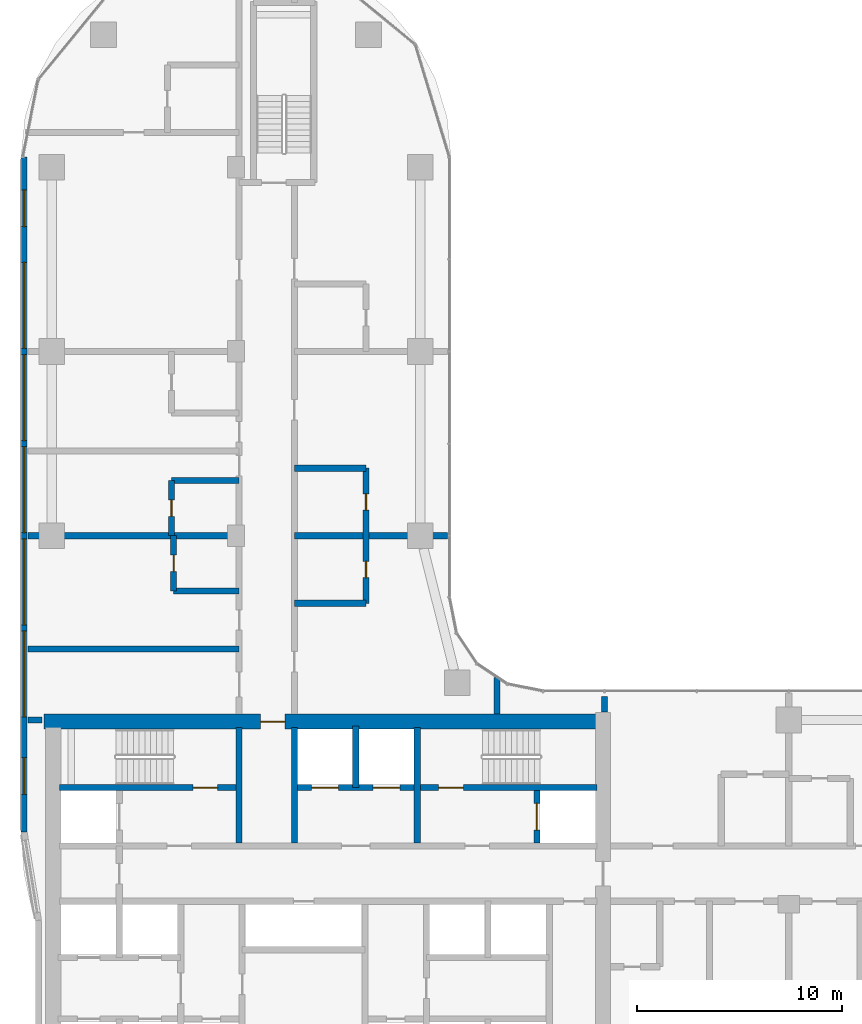
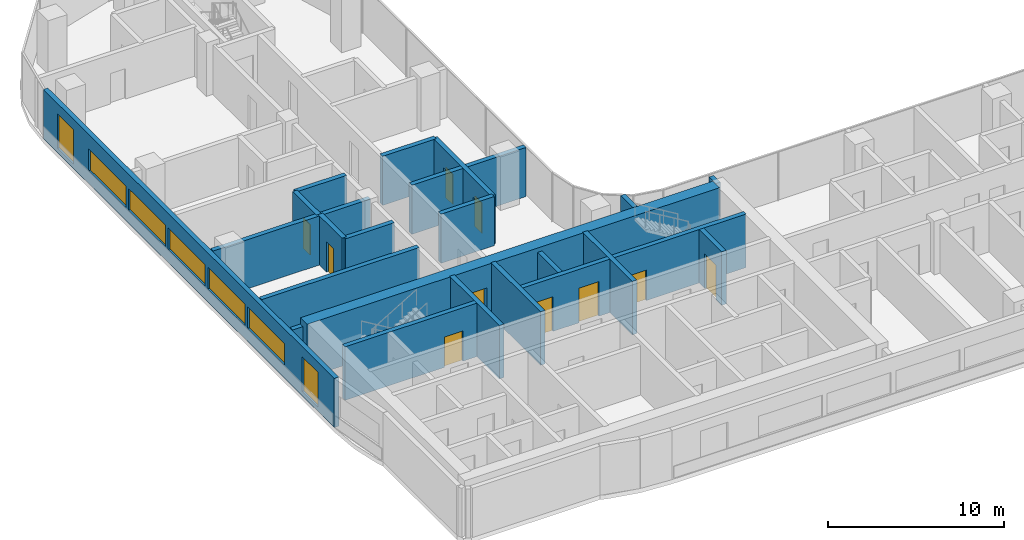
# One storey, part 10 of 22: 22 walls, 10 doors, 7 windows, 17 openings.
"""IFC4 building model written with IfcOpenShell, lengths in metres."""

from ifc_helpers import new_model, si_unit, direction, frame, frame_2d, origin, place, context, subcontext, project, spatial, rectangle, extrude, material, layer, layer_set, type_object, element, fill, save


model = new_model("IFC4")

# Units and contexts
model_context = context("Model", 3, precision=1e-05, world=origin(), true_north=direction((0.0, 1.0)))
body_context = subcontext(model_context, "Body", "Model", "MODEL_VIEW")
ifc_project = project(units=[si_unit("LENGTHUNIT", "METRE"), si_unit("AREAUNIT", "SQUARE_METRE"), si_unit("VOLUMEUNIT", "CUBIC_METRE"), si_unit("PLANEANGLEUNIT", "RADIAN"), si_unit("MASSUNIT", "GRAM", prefix="KILO")], contexts=[model_context])

# Site, building, storey
site_placement = place(None, origin())
site = spatial("IfcSite", under=ifc_project, at=site_placement, CompositionType="ELEMENT")
building_placement = place(site_placement, origin())
building = spatial("IfcBuilding", under=site, at=building_placement, Name="Ogive Portal Towers", CompositionType="ELEMENT")
storey_placement = place(building_placement, frame((0.0, 0.0, 113.0)))
storey = spatial("IfcBuildingStorey", under=building, at=storey_placement, Name="L27", CompositionType="ELEMENT", Elevation=113.0)

# Wall, opening, door
ifc_material_1 = material(Name="Concrete C60/75", Category="concrete")
ifc_layer_1 = layer(ifc_material_1, 0.300048828125)
ifc_layer_set_1 = layer_set([ifc_layer_1], Name="CORE WALL 300 C60")
wall_type_1 = type_object("IfcWallType", Name="CORE WALL 300 C60", PredefinedType="SHEAR", material=ifc_layer_set_1)
wall_1_placement = place(storey_placement, frame((31.875, 36.199951171875, 0.0), z_axis=(0.0, 0.0, 1.0), x_axis=(1.0, 0.0, 0.0)))
wall_1 = element("IfcWall", 1, at=wall_1_placement, inside=storey, type_object=wall_type_1, Name="Core wall Y3a L27", PredefinedType="SHEAR", context=body_context, shape_type="SweptSolid", body=[
    extrude(rectangle(XDim=8.625, YDim=0.300048828125, at=frame_2d((4.3125, 0.0))), origin(), (0.0, 0.0, 1.0), 3.699951171875),
])
opening_1_placement = place(wall_1_placement, frame((6.52490234375, 0.0, 0.0)))
opening_1 = element("IfcOpeningElement", 2, at=opening_1_placement, cuts=wall_1, Name="Opening D09-005", PredefinedType="OPENING", context=body_context, shape_type="SweptSolid", body=[
    extrude(rectangle(XDim=1.199951171875, YDim=2.10009765625, at=frame_2d((0.60009765625, 1.050048828125))), frame((0.0, 0.16015625, 0.0), z_axis=(0.0, -1.0, 0.0), x_axis=(1.0, 0.0, 0.0)), (0.0, 0.0, 1.0), 0.320068359375),
])
ifc_material_2 = material(Name="Steel fire door", Category="steel")
door_type_1 = type_object("IfcDoorType", Name="DT-SWING-1200x2100-FD90S", OperationType="SINGLE_SWING_LEFT", PredefinedType="DOOR", material=ifc_material_2)
door_1_placement = place(opening_1_placement, origin())
door_1 = element("IfcDoor", 3, at=door_1_placement, inside=storey, type_object=door_type_1, Name="Door D09-005", OperationType="SINGLE_SWING_RIGHT", OverallHeight=2.10009765625, OverallWidth=1.199951171875, PredefinedType="DOOR", context=body_context, shape_type="SweptSolid", body=[
    extrude(rectangle(XDim=1.199951171875, YDim=2.10009765625, at=frame_2d((0.60009765625, 1.050048828125))), frame((0.0, 0.02490234375, 0.0), z_axis=(0.0, -1.0, 0.0), x_axis=(1.0, 0.0, 0.0)), (0.0, 0.0, 1.0), 0.050048828125),
])
fill(opening_1, door_1)

# Wall, openings, doors
wall_2_placement = place(storey_placement, frame((43.5, 36.199951171875, 0.0), z_axis=(0.0, 0.0, 1.0), x_axis=(1.0, 0.0, 0.0)))
wall_2 = element("IfcWall", 4, at=wall_2_placement, inside=storey, type_object=wall_type_1, Name="Core wall Y3b L27", PredefinedType="SHEAR", context=body_context, shape_type="SweptSolid", body=[
    extrude(rectangle(XDim=14.625, YDim=0.300048828125, at=frame_2d((7.3125, 0.0))), origin(), (0.0, 0.0, 1.0), 3.699951171875),
])
opening_2_placement = place(wall_2_placement, frame((6.89990234375, 0.0, 0.0)))
opening_2 = element("IfcOpeningElement", 5, at=opening_2_placement, cuts=wall_2, Name="Opening D09-006", PredefinedType="OPENING", context=body_context, shape_type="SweptSolid", body=[
    extrude(rectangle(XDim=1.199951171875, YDim=2.10009765625, at=frame_2d((0.60009765625, 1.050048828125))), frame((0.0, 0.16015625, 0.0), z_axis=(0.0, -1.0, 0.0), x_axis=(1.0, 0.0, 0.0)), (0.0, 0.0, 1.0), 0.320068359375),
])
opening_3_placement = place(wall_2_placement, frame((0.699951171875, 0.0, 0.0)))
opening_3 = element("IfcOpeningElement", 6, at=opening_3_placement, cuts=wall_2, Name="Opening D09-016", PredefinedType="OPENING", context=body_context, shape_type="SweptSolid", body=[
    extrude(rectangle(XDim=1.300048828125, YDim=2.39990234375, at=frame_2d((0.64990234375, 1.199951171875))), frame((0.0, 0.16015625, 0.0), z_axis=(0.0, -1.0, 0.0), x_axis=(1.0, 0.0, 0.0)), (0.0, 0.0, 1.0), 0.320068359375),
])
opening_4_placement = place(wall_2_placement, frame((3.699951171875, 0.0, 0.0)))
opening_4 = element("IfcOpeningElement", 7, at=opening_4_placement, cuts=wall_2, Name="Opening D09-017", PredefinedType="OPENING", context=body_context, shape_type="SweptSolid", body=[
    extrude(rectangle(XDim=1.300048828125, YDim=2.39990234375, at=frame_2d((0.64990234375, 1.199951171875))), frame((0.0, 0.16015625, 0.0), z_axis=(0.0, -1.0, 0.0), x_axis=(1.0, 0.0, 0.0)), (0.0, 0.0, 1.0), 0.320068359375),
])
ifc_material_3 = material(Name="Stainless steel", Category="steel")
door_type_2 = type_object("IfcDoorType", Name="DT-LD-1300x2400", OperationType="SLIDING_TO_LEFT", PredefinedType="DOOR", material=ifc_material_3)
door_2_placement = place(opening_3_placement, origin())
door_2 = element("IfcDoor", 8, at=door_2_placement, inside=storey, type_object=door_type_2, Name="Door D09-016", OperationType="SLIDING_TO_LEFT", OverallHeight=2.39990234375, OverallWidth=1.300048828125, PredefinedType="DOOR", context=body_context, shape_type="SweptSolid", body=[
    extrude(rectangle(XDim=1.300048828125, YDim=2.39990234375, at=frame_2d((0.64990234375, 1.199951171875))), frame((0.0, 0.02490234375, 0.0), z_axis=(0.0, -1.0, 0.0), x_axis=(1.0, 0.0, 0.0)), (0.0, 0.0, 1.0), 0.050048828125),
])
fill(opening_3, door_2)
door_3_placement = place(opening_4_placement, origin())
door_3 = element("IfcDoor", 9, at=door_3_placement, inside=storey, type_object=door_type_2, Name="Door D09-017", OperationType="SLIDING_TO_LEFT", OverallHeight=2.39990234375, OverallWidth=1.300048828125, PredefinedType="DOOR", context=body_context, shape_type="SweptSolid", body=[
    extrude(rectangle(XDim=1.300048828125, YDim=2.39990234375, at=frame_2d((0.64990234375, 1.199951171875))), frame((0.0, 0.02490234375, 0.0), z_axis=(0.0, -1.0, 0.0), x_axis=(1.0, 0.0, 0.0)), (0.0, 0.0, 1.0), 0.050048828125),
])
fill(opening_4, door_3)
door_4_placement = place(opening_2_placement, origin())
door_4 = element("IfcDoor", 10, at=door_4_placement, inside=storey, type_object=door_type_1, Name="Door D09-006", OperationType="SINGLE_SWING_LEFT", OverallHeight=2.10009765625, OverallWidth=1.199951171875, PredefinedType="DOOR", context=body_context, shape_type="SweptSolid", body=[
    extrude(rectangle(XDim=1.199951171875, YDim=2.10009765625, at=frame_2d((0.60009765625, 1.050048828125))), frame((0.0, 0.02490234375, 0.0), z_axis=(0.0, -1.0, 0.0), x_axis=(1.0, 0.0, 0.0)), (0.0, 0.0, 1.0), 0.050048828125),
])
fill(opening_2, door_4)

# Walls
for number, where, z_axis, x_axis, name in (
    (11, (40.64990234375, 33.5, 0.0), (0.0, 0.0, 1.0), (0.0, 1.0, 0.0), "Core wall X6 L27"),
    (12, (43.35009765625, 33.5, 0.0), (0.0, 0.0, 1.0), (0.0, 1.0, 0.0), "Core wall X7 L27"),
    (13, (49.35009765625, 33.5, 0.0), (0.0, 0.0, 1.0), (0.0, 1.0, 0.0), "Core wall X9 L27"),
):
    element("IfcWall", number, at=place(storey_placement, frame(where, z_axis=z_axis, x_axis=x_axis)), inside=storey, type_object=wall_type_1, Name=name, PredefinedType="SHEAR", context=body_context, shape_type="SweptSolid", body=[
        extrude(rectangle(XDim=5.625, YDim=0.300048828125, at=frame_2d((2.8125, 0.0))), origin(), (0.0, 0.0, 1.0), 3.699951171875),
    ])

# Wall, opening, door
wall_3_placement = place(storey_placement, frame((55.199951171875, 33.5, 0.0), z_axis=(0.0, 0.0, 1.0), x_axis=(0.0, 1.0, 0.0)))
wall_3 = element("IfcWall", 14, at=wall_3_placement, inside=storey, type_object=wall_type_1, Name="Core wall X10 L27", PredefinedType="SHEAR", context=body_context, shape_type="SweptSolid", body=[
    extrude(rectangle(XDim=2.550048828125, YDim=0.300048828125, at=frame_2d((1.27490234375, 0.0))), origin(), (0.0, 0.0, 1.0), 3.699951171875),
])
opening_5_placement = place(wall_3_placement, frame((0.625, 0.0, 0.0)))
opening_5 = element("IfcOpeningElement", 15, at=opening_5_placement, cuts=wall_3, Name="Opening D09-019", PredefinedType="OPENING", context=body_context, shape_type="SweptSolid", body=[
    extrude(rectangle(XDim=1.300048828125, YDim=2.39990234375, at=frame_2d((0.64990234375, 1.199951171875))), frame((0.0, 0.16015625, 0.0), z_axis=(0.0, -1.0, 0.0), x_axis=(1.0, 0.0, 0.0)), (0.0, 0.0, 1.0), 0.320068359375),
])
door_5_placement = place(opening_5_placement, origin())
door_5 = element("IfcDoor", 16, at=door_5_placement, inside=storey, type_object=door_type_2, Name="Door D09-019", OperationType="SLIDING_TO_LEFT", OverallHeight=2.39990234375, OverallWidth=1.300048828125, PredefinedType="DOOR", context=body_context, shape_type="SweptSolid", body=[
    extrude(rectangle(XDim=1.300048828125, YDim=2.39990234375, at=frame_2d((0.64990234375, 1.199951171875))), frame((0.0, 0.02490234375, 0.0), z_axis=(0.0, -1.0, 0.0), x_axis=(1.0, 0.0, 0.0)), (0.0, 0.0, 1.0), 0.050048828125),
])
fill(opening_5, door_5)

ifc_layer_2 = layer(ifc_material_1, 0.75)
ifc_layer_set_2 = layer_set([ifc_layer_2], Name="CORE WALL 750 C60")
wall_type_2 = type_object("IfcWallType", Name="CORE WALL 750 C60", PredefinedType="SHEAR", material=ifc_layer_set_2)
wall_4_placement = place(storey_placement, frame((31.125, 39.425048828125, 0.0), z_axis=(0.0, 0.0, 1.0), x_axis=(1.0, 0.0, 0.0)))
wall_4 = element("IfcWall", 17, at=wall_4_placement, inside=storey, type_object=wall_type_2, Name="Core wall N L27", PredefinedType="SHEAR", context=body_context, shape_type="SweptSolid", body=[
    extrude(rectangle(XDim=27.0, YDim=0.75, at=frame_2d((13.5, 0.0))), origin(), (0.0, 0.0, 1.0), 3.699951171875),
])
opening_6_placement = place(wall_4_placement, frame((10.574951171875, 0.0, 0.0)))
opening_6 = element("IfcOpeningElement", 18, at=opening_6_placement, cuts=wall_4, Name="Opening D09-011", PredefinedType="OPENING", context=body_context, shape_type="SweptSolid", body=[
    extrude(rectangle(XDim=1.199951171875, YDim=2.10009765625, at=frame_2d((0.60009765625, 1.050048828125))), frame((0.0, 0.385009765625, 0.0), z_axis=(0.0, -1.0, 0.0), x_axis=(1.0, 0.0, 0.0)), (0.0, 0.0, 1.0), 0.77001953125),
])
door_6_placement = place(opening_6_placement, origin())
door_6 = element("IfcDoor", 19, at=door_6_placement, inside=storey, type_object=door_type_1, Name="Door D09-011", OperationType="SINGLE_SWING_RIGHT", OverallHeight=2.10009765625, OverallWidth=1.199951171875, PredefinedType="DOOR", context=body_context, shape_type="SweptSolid", body=[
    extrude(rectangle(XDim=1.199951171875, YDim=2.10009765625, at=frame_2d((0.60009765625, 1.050048828125))), frame((0.0, 0.02490234375, 0.0), z_axis=(0.0, -1.0, 0.0), x_axis=(1.0, 0.0, 0.0)), (0.0, 0.0, 1.0), 0.050048828125),
])
fill(opening_6, door_6)

# Wall, openings, windows
ifc_material_4 = material(Name="Limestone cladding on lightweight block wall", Category="masonry")
ifc_layer_3 = layer(ifc_material_4, 0.300048828125)
ifc_layer_set_3 = layer_set([ifc_layer_3], Name="EXTERNAL WALL 300 STONE")
wall_type_3 = type_object("IfcWallType", Name="EXTERNAL WALL 300 STONE", PredefinedType="SOLIDWALL", material=ifc_layer_set_3)
wall_5_placement = place(storey_placement, frame((30.14990234375, 66.9921875, 0.0), z_axis=(0.0, 0.0, 1.0), x_axis=(0.0, -1.0, 0.0)))
wall_5 = element("IfcWall", 20, at=wall_5_placement, inside=storey, type_object=wall_type_3, Name="A:L27:f24:r0:wall", PredefinedType="SOLIDWALL", context=body_context, shape_type="SweptSolid", body=[
    extrude(rectangle(XDim=32.968017578125, YDim=0.300048828125, at=frame_2d((16.48388671875, 0.0))), origin(), (0.0, 0.0, 1.0), 3.39990234375),
])
opening_7_placement = place(wall_5_placement, frame((1.595947265625, 0.0, 0.300048828125)))
opening_7 = element("IfcOpeningElement", 21, at=opening_7_placement, cuts=wall_5, Name="Opening WN10", PredefinedType="OPENING", context=body_context, shape_type="SweptSolid", body=[
    extrude(rectangle(XDim=1.800048828125, YDim=2.39990234375, at=frame_2d((0.89990234375, 1.199951171875))), frame((0.0, 0.16015625, 0.0), z_axis=(0.0, -1.0, 0.0), x_axis=(1.0, 0.0, 0.0)), (0.0, 0.0, 1.0), 0.320068359375),
])
opening_8_placement = place(wall_5_placement, frame((5.14208984375, 0.0, 0.89990234375)))
opening_8 = element("IfcOpeningElement", 22, at=opening_8_placement, cuts=wall_5, Name="Opening WN11", PredefinedType="OPENING", context=body_context, shape_type="SweptSolid", body=[
    extrude(rectangle(XDim=4.199951171875, YDim=1.5, at=frame_2d((2.10009765625, 0.75))), frame((0.0, 0.16015625, 0.0), z_axis=(0.0, -1.0, 0.0), x_axis=(1.0, 0.0, 0.0)), (0.0, 0.0, 1.0), 0.320068359375),
])
opening_9_placement = place(wall_5_placement, frame((9.64208984375, 0.0, 0.89990234375)))
opening_9 = element("IfcOpeningElement", 23, at=opening_9_placement, cuts=wall_5, Name="Opening WN11", PredefinedType="OPENING", context=body_context, shape_type="SweptSolid", body=[
    extrude(rectangle(XDim=4.199951171875, YDim=1.5, at=frame_2d((2.10009765625, 0.75))), frame((0.0, 0.16015625, 0.0), z_axis=(0.0, -1.0, 0.0), x_axis=(1.0, 0.0, 0.0)), (0.0, 0.0, 1.0), 0.320068359375),
])
opening_10_placement = place(wall_5_placement, frame((14.14208984375, 0.0, 0.89990234375)))
opening_10 = element("IfcOpeningElement", 24, at=opening_10_placement, cuts=wall_5, Name="Opening WN11", PredefinedType="OPENING", context=body_context, shape_type="SweptSolid", body=[
    extrude(rectangle(XDim=4.199951171875, YDim=1.5, at=frame_2d((2.10009765625, 0.75))), frame((0.0, 0.16015625, 0.0), z_axis=(0.0, -1.0, 0.0), x_axis=(1.0, 0.0, 0.0)), (0.0, 0.0, 1.0), 0.320068359375),
])
opening_11_placement = place(wall_5_placement, frame((18.64208984375, 0.0, 0.89990234375)))
opening_11 = element("IfcOpeningElement", 25, at=opening_11_placement, cuts=wall_5, Name="Opening WN11", PredefinedType="OPENING", context=body_context, shape_type="SweptSolid", body=[
    extrude(rectangle(XDim=4.199951171875, YDim=1.5, at=frame_2d((2.10009765625, 0.75))), frame((0.0, 0.16015625, 0.0), z_axis=(0.0, -1.0, 0.0), x_axis=(1.0, 0.0, 0.0)), (0.0, 0.0, 1.0), 0.320068359375),
])
opening_12_placement = place(wall_5_placement, frame((23.14208984375, 0.0, 0.89990234375)))
opening_12 = element("IfcOpeningElement", 26, at=opening_12_placement, cuts=wall_5, Name="Opening WN11", PredefinedType="OPENING", context=body_context, shape_type="SweptSolid", body=[
    extrude(rectangle(XDim=4.199951171875, YDim=1.5, at=frame_2d((2.10009765625, 0.75))), frame((0.0, 0.16015625, 0.0), z_axis=(0.0, -1.0, 0.0), x_axis=(1.0, 0.0, 0.0)), (0.0, 0.0, 1.0), 0.320068359375),
])
opening_13_placement = place(wall_5_placement, frame((29.330078125, 0.0, 0.300048828125)))
opening_13 = element("IfcOpeningElement", 27, at=opening_13_placement, cuts=wall_5, Name="Opening WN10", PredefinedType="OPENING", context=body_context, shape_type="SweptSolid", body=[
    extrude(rectangle(XDim=1.800048828125, YDim=2.39990234375, at=frame_2d((0.89990234375, 1.199951171875))), frame((0.0, 0.16015625, 0.0), z_axis=(0.0, -1.0, 0.0), x_axis=(1.0, 0.0, 0.0)), (0.0, 0.0, 1.0), 0.320068359375),
])
ifc_material_5 = material(Name="Glass, clear low-iron insulated glazing", Category="glass")
window_type_1 = type_object("IfcWindowType", Name="WINDOW RIBBON 4200x1500", PartitioningType="TRIPLE_PANEL_VERTICAL", PredefinedType="WINDOW", material=ifc_material_5)
window_1_placement = place(opening_8_placement, origin())
window_1 = element("IfcWindow", 28, at=window_1_placement, inside=storey, type_object=window_type_1, Name="A:L27:f24:r0:w1", OverallHeight=1.5, OverallWidth=4.199951171875, PartitioningType="SINGLE_PANEL", PredefinedType="WINDOW", context=body_context, shape_type="SweptSolid", body=[
    extrude(rectangle(XDim=4.199951171875, YDim=1.5, at=frame_2d((2.10009765625, 0.75))), frame((0.0, 0.030029296875, 0.0), z_axis=(0.0, -1.0, 0.0), x_axis=(1.0, 0.0, 0.0)), (0.0, 0.0, 1.0), 0.06005859375),
])
fill(opening_8, window_1)
window_2_placement = place(opening_9_placement, origin())
window_2 = element("IfcWindow", 29, at=window_2_placement, inside=storey, type_object=window_type_1, Name="A:L27:f24:r0:w2", OverallHeight=1.5, OverallWidth=4.199951171875, PartitioningType="SINGLE_PANEL", PredefinedType="WINDOW", context=body_context, shape_type="SweptSolid", body=[
    extrude(rectangle(XDim=4.199951171875, YDim=1.5, at=frame_2d((2.10009765625, 0.75))), frame((0.0, 0.030029296875, 0.0), z_axis=(0.0, -1.0, 0.0), x_axis=(1.0, 0.0, 0.0)), (0.0, 0.0, 1.0), 0.06005859375),
])
fill(opening_9, window_2)
window_3_placement = place(opening_10_placement, origin())
window_3 = element("IfcWindow", 30, at=window_3_placement, inside=storey, type_object=window_type_1, Name="A:L27:f24:r0:w3", OverallHeight=1.5, OverallWidth=4.199951171875, PartitioningType="SINGLE_PANEL", PredefinedType="WINDOW", context=body_context, shape_type="SweptSolid", body=[
    extrude(rectangle(XDim=4.199951171875, YDim=1.5, at=frame_2d((2.10009765625, 0.75))), frame((0.0, 0.030029296875, 0.0), z_axis=(0.0, -1.0, 0.0), x_axis=(1.0, 0.0, 0.0)), (0.0, 0.0, 1.0), 0.06005859375),
])
fill(opening_10, window_3)
window_4_placement = place(opening_11_placement, origin())
window_4 = element("IfcWindow", 31, at=window_4_placement, inside=storey, type_object=window_type_1, Name="A:L27:f24:r0:w4", OverallHeight=1.5, OverallWidth=4.199951171875, PartitioningType="SINGLE_PANEL", PredefinedType="WINDOW", context=body_context, shape_type="SweptSolid", body=[
    extrude(rectangle(XDim=4.199951171875, YDim=1.5, at=frame_2d((2.10009765625, 0.75))), frame((0.0, 0.030029296875, 0.0), z_axis=(0.0, -1.0, 0.0), x_axis=(1.0, 0.0, 0.0)), (0.0, 0.0, 1.0), 0.06005859375),
])
fill(opening_11, window_4)
window_5_placement = place(opening_12_placement, origin())
window_5 = element("IfcWindow", 32, at=window_5_placement, inside=storey, type_object=window_type_1, Name="A:L27:f24:r0:w5", OverallHeight=1.5, OverallWidth=4.199951171875, PartitioningType="SINGLE_PANEL", PredefinedType="WINDOW", context=body_context, shape_type="SweptSolid", body=[
    extrude(rectangle(XDim=4.199951171875, YDim=1.5, at=frame_2d((2.10009765625, 0.75))), frame((0.0, 0.030029296875, 0.0), z_axis=(0.0, -1.0, 0.0), x_axis=(1.0, 0.0, 0.0)), (0.0, 0.0, 1.0), 0.06005859375),
])
fill(opening_12, window_5)
window_type_2 = type_object("IfcWindowType", Name="WINDOW SUITE CORNER 1800x2400", PartitioningType="DOUBLE_PANEL_VERTICAL", PredefinedType="WINDOW", material=ifc_material_5)
window_6_placement = place(opening_7_placement, origin())
window_6 = element("IfcWindow", 33, at=window_6_placement, inside=storey, type_object=window_type_2, Name="A:L27:f24:r0:w0", OverallHeight=2.39990234375, OverallWidth=1.800048828125, PartitioningType="SINGLE_PANEL", PredefinedType="WINDOW", context=body_context, shape_type="SweptSolid", body=[
    extrude(rectangle(XDim=1.800048828125, YDim=2.39990234375, at=frame_2d((0.89990234375, 1.199951171875))), frame((0.0, 0.030029296875, 0.0), z_axis=(0.0, -1.0, 0.0), x_axis=(1.0, 0.0, 0.0)), (0.0, 0.0, 1.0), 0.06005859375),
])
fill(opening_7, window_6)
window_7_placement = place(opening_13_placement, origin())
window_7 = element("IfcWindow", 34, at=window_7_placement, inside=storey, type_object=window_type_2, Name="A:L27:f24:r0:w6", OverallHeight=2.39990234375, OverallWidth=1.800048828125, PartitioningType="SINGLE_PANEL", PredefinedType="WINDOW", context=body_context, shape_type="SweptSolid", body=[
    extrude(rectangle(XDim=1.800048828125, YDim=2.39990234375, at=frame_2d((0.89990234375, 1.199951171875))), frame((0.0, 0.030029296875, 0.0), z_axis=(0.0, -1.0, 0.0), x_axis=(1.0, 0.0, 0.0)), (0.0, 0.0, 1.0), 0.06005859375),
])
fill(opening_13, window_7)

# Walls
ifc_material_6 = material(Name="Gypsum board partition on steel studs", Category="steel")
ifc_layer_4 = layer(ifc_material_6, 0.300048828125)
ifc_layer_set_4 = layer_set([ifc_layer_4], Name="WT-PART-300-EI 60")
wall_type_4 = type_object("IfcWallType", Name="WT-PART-300-EI 60", PredefinedType="PARTITIONING", material=ifc_layer_set_4)
wall_6_placement = place(storey_placement, frame((30.35009765625, 39.5, 0.0), z_axis=(0.0, 0.0, 1.0), x_axis=(1.0, 0.0, 0.0)))
element("IfcWall", 35, at=wall_6_placement, inside=storey, type_object=wall_type_4, Name="Wall L27:w015", PredefinedType="PARTITIONING", context=body_context, shape_type="SweptSolid", body=[
    extrude(rectangle(XDim=0.679931640625, YDim=0.300048828125, at=frame_2d((0.33984375, 0.0))), origin(), (0.0, 0.0, 1.0), 3.39990234375),
])
wall_7_placement = place(storey_placement, frame((30.35009765625, 42.969970703125, 0.0), z_axis=(0.0, 0.0, 1.0), x_axis=(1.0, 0.0, 0.0)))
element("IfcWall", 36, at=wall_7_placement, inside=storey, type_object=wall_type_4, Name="Wall L27:w016", PredefinedType="PARTITIONING", context=body_context, shape_type="SweptSolid", body=[
    extrude(rectangle(XDim=10.2998046875, YDim=0.300048828125, at=frame_2d((5.14990234375, 0.0))), origin(), (0.0, 0.0, 1.0), 3.39990234375),
])
wall_8_placement = place(storey_placement, frame((43.35009765625, 45.199951171875, 0.0), z_axis=(0.0, 0.0, 1.0), x_axis=(1.0, 0.0, 0.0)))
element("IfcWall", 37, at=wall_8_placement, inside=storey, type_object=wall_type_4, Name="Wall L27:w017", PredefinedType="PARTITIONING", context=body_context, shape_type="SweptSolid", body=[
    extrude(rectangle(XDim=3.5, YDim=0.300048828125, at=frame_2d((1.75, 0.0))), origin(), (0.0, 0.0, 1.0), 3.39990234375),
])
wall_9_placement = place(storey_placement, frame((37.449951171875, 45.800048828125, 0.0), z_axis=(0.0, 0.0, 1.0), x_axis=(1.0, 0.0, 0.0)))
element("IfcWall", 38, at=wall_9_placement, inside=storey, type_object=wall_type_4, Name="Wall L27:w018", PredefinedType="PARTITIONING", context=body_context, shape_type="SweptSolid", body=[
    extrude(rectangle(XDim=3.199951171875, YDim=0.300048828125, at=frame_2d((1.60009765625, 0.0))), origin(), (0.0, 0.0, 1.0), 3.39990234375),
])
wall_10_placement = place(storey_placement, frame((30.35009765625, 48.5, 0.0), z_axis=(0.0, 0.0, 1.0), x_axis=(1.0, 0.0, 0.0)))
element("IfcWall", 39, at=wall_10_placement, inside=storey, type_object=wall_type_4, Name="Wall L27:w019", PredefinedType="PARTITIONING", context=body_context, shape_type="SweptSolid", body=[
    extrude(rectangle(XDim=10.2998046875, YDim=0.300048828125, at=frame_2d((5.14990234375, 0.0))), origin(), (0.0, 0.0, 1.0), 3.39990234375),
])
wall_11_placement = place(storey_placement, frame((43.35009765625, 48.5, 0.0), z_axis=(0.0, 0.0, 1.0), x_axis=(1.0, 0.0, 0.0)))
element("IfcWall", 40, at=wall_11_placement, inside=storey, type_object=wall_type_4, Name="Wall L27:w020", PredefinedType="PARTITIONING", context=body_context, shape_type="SweptSolid", body=[
    extrude(rectangle(XDim=7.47998046875, YDim=0.300048828125, at=frame_2d((3.739990234375, 0.0))), origin(), (0.0, 0.0, 1.0), 3.39990234375),
])
wall_12_placement = place(storey_placement, frame((37.35009765625, 51.199951171875, 0.0), z_axis=(0.0, 0.0, 1.0), x_axis=(1.0, 0.0, 0.0)))
element("IfcWall", 41, at=wall_12_placement, inside=storey, type_object=wall_type_4, Name="Wall L27:w021", PredefinedType="PARTITIONING", context=body_context, shape_type="SweptSolid", body=[
    extrude(rectangle(XDim=3.2998046875, YDim=0.300048828125, at=frame_2d((1.64990234375, 0.0))), origin(), (0.0, 0.0, 1.0), 3.39990234375),
])
wall_13_placement = place(storey_placement, frame((43.35009765625, 51.800048828125, 0.0), z_axis=(0.0, 0.0, 1.0), x_axis=(1.0, 0.0, 0.0)))
element("IfcWall", 42, at=wall_13_placement, inside=storey, type_object=wall_type_4, Name="Wall L27:w022", PredefinedType="PARTITIONING", context=body_context, shape_type="SweptSolid", body=[
    extrude(rectangle(XDim=3.5, YDim=0.300048828125, at=frame_2d((1.75, 0.0))), origin(), (0.0, 0.0, 1.0), 3.39990234375),
])

# Wall, opening, door
wall_14_placement = place(storey_placement, frame((37.35009765625, 48.5, 0.0), z_axis=(0.0, 0.0, 1.0), x_axis=(0.0, 1.0, 0.0)))
wall_14 = element("IfcWall", 43, at=wall_14_placement, inside=storey, type_object=wall_type_4, Name="Wall L27:w033", PredefinedType="PARTITIONING", context=body_context, shape_type="SweptSolid", body=[
    extrude(rectangle(XDim=2.699951171875, YDim=0.300048828125, at=frame_2d((1.35009765625, 0.0))), origin(), (0.0, 0.0, 1.0), 3.39990234375),
])
opening_14_placement = place(wall_14_placement, frame((0.949951171875, 0.0, 0.0)))
opening_14 = element("IfcOpeningElement", 44, at=opening_14_placement, cuts=wall_14, Name="Opening D09-049", PredefinedType="OPENING", context=body_context, shape_type="SweptSolid", body=[
    extrude(rectangle(XDim=0.800048828125, YDim=2.10009765625, at=frame_2d((0.39990234375, 1.050048828125))), frame((0.0, 0.16015625, 0.0), z_axis=(0.0, -1.0, 0.0), x_axis=(1.0, 0.0, 0.0)), (0.0, 0.0, 1.0), 0.320068359375),
])
door_type_3 = type_object("IfcDoorType", Name="DT-BATH-800x2100-FD60S", OperationType="SINGLE_SWING_LEFT", PredefinedType="DOOR", material=ifc_material_2)
door_7_placement = place(opening_14_placement, origin())
door_7 = element("IfcDoor", 45, at=door_7_placement, inside=storey, type_object=door_type_3, Name="Door D09-049", OperationType="SINGLE_SWING_RIGHT", OverallHeight=2.10009765625, OverallWidth=0.800048828125, PredefinedType="DOOR", context=body_context, shape_type="SweptSolid", body=[
    extrude(rectangle(XDim=0.800048828125, YDim=2.10009765625, at=frame_2d((0.39990234375, 1.050048828125))), frame((0.0, 0.02490234375, 0.0), z_axis=(0.0, -1.0, 0.0), x_axis=(1.0, 0.0, 0.0)), (0.0, 0.0, 1.0), 0.050048828125),
])
fill(opening_14, door_7)

wall_15_placement = place(storey_placement, frame((37.449951171875, 45.800048828125, 0.0), z_axis=(0.0, 0.0, 1.0), x_axis=(0.0, 1.0, 0.0)))
wall_15 = element("IfcWall", 46, at=wall_15_placement, inside=storey, type_object=wall_type_4, Name="Wall L27:w035", PredefinedType="PARTITIONING", context=body_context, shape_type="SweptSolid", body=[
    extrude(rectangle(XDim=2.699951171875, YDim=0.300048828125, at=frame_2d((1.35009765625, 0.0))), origin(), (0.0, 0.0, 1.0), 3.39990234375),
])
opening_15_placement = place(wall_15_placement, frame((0.949951171875, 0.0, 0.0)))
opening_15 = element("IfcOpeningElement", 47, at=opening_15_placement, cuts=wall_15, Name="Opening D09-045", PredefinedType="OPENING", context=body_context, shape_type="SweptSolid", body=[
    extrude(rectangle(XDim=0.800048828125, YDim=2.10009765625, at=frame_2d((0.39990234375, 1.050048828125))), frame((0.0, 0.16015625, 0.0), z_axis=(0.0, -1.0, 0.0), x_axis=(1.0, 0.0, 0.0)), (0.0, 0.0, 1.0), 0.320068359375),
])
door_8_placement = place(opening_15_placement, origin())
door_8 = element("IfcDoor", 48, at=door_8_placement, inside=storey, type_object=door_type_3, Name="Door D09-045", OperationType="SINGLE_SWING_LEFT", OverallHeight=2.10009765625, OverallWidth=0.800048828125, PredefinedType="DOOR", context=body_context, shape_type="SweptSolid", body=[
    extrude(rectangle(XDim=0.800048828125, YDim=2.10009765625, at=frame_2d((0.39990234375, 1.050048828125))), frame((0.0, 0.02490234375, 0.0), z_axis=(0.0, -1.0, 0.0), x_axis=(1.0, 0.0, 0.0)), (0.0, 0.0, 1.0), 0.050048828125),
])
fill(opening_15, door_8)

# Wall, openings, doors
wall_16_placement = place(storey_placement, frame((46.85009765625, 45.199951171875, 0.0), z_axis=(0.0, 0.0, 1.0), x_axis=(0.0, 1.0, 0.0)))
wall_16 = element("IfcWall", 49, at=wall_16_placement, inside=storey, type_object=wall_type_4, Name="Wall L27:w041", PredefinedType="PARTITIONING", context=body_context, shape_type="SweptSolid", body=[
    extrude(rectangle(XDim=6.60009765625, YDim=0.300048828125, at=frame_2d((3.300048828125, 0.0))), origin(), (0.0, 0.0, 1.0), 3.39990234375),
])
opening_16_placement = place(wall_16_placement, frame((1.25, 0.0, 0.0)))
opening_16 = element("IfcOpeningElement", 50, at=opening_16_placement, cuts=wall_16, Name="Opening D09-042", PredefinedType="OPENING", context=body_context, shape_type="SweptSolid", body=[
    extrude(rectangle(XDim=0.800048828125, YDim=2.10009765625, at=frame_2d((0.39990234375, 1.050048828125))), frame((0.0, 0.16015625, 0.0), z_axis=(0.0, -1.0, 0.0), x_axis=(1.0, 0.0, 0.0)), (0.0, 0.0, 1.0), 0.320068359375),
])
opening_17_placement = place(wall_16_placement, frame((4.550048828125, 0.0, 0.0)))
opening_17 = element("IfcOpeningElement", 51, at=opening_17_placement, cuts=wall_16, Name="Opening D09-047", PredefinedType="OPENING", context=body_context, shape_type="SweptSolid", body=[
    extrude(rectangle(XDim=0.800048828125, YDim=2.10009765625, at=frame_2d((0.39990234375, 1.050048828125))), frame((0.0, 0.16015625, 0.0), z_axis=(0.0, -1.0, 0.0), x_axis=(1.0, 0.0, 0.0)), (0.0, 0.0, 1.0), 0.320068359375),
])
door_9_placement = place(opening_16_placement, origin())
door_9 = element("IfcDoor", 52, at=door_9_placement, inside=storey, type_object=door_type_3, Name="Door D09-042", OperationType="SINGLE_SWING_LEFT", OverallHeight=2.10009765625, OverallWidth=0.800048828125, PredefinedType="DOOR", context=body_context, shape_type="SweptSolid", body=[
    extrude(rectangle(XDim=0.800048828125, YDim=2.10009765625, at=frame_2d((0.39990234375, 1.050048828125))), frame((0.0, 0.02490234375, 0.0), z_axis=(0.0, -1.0, 0.0), x_axis=(1.0, 0.0, 0.0)), (0.0, 0.0, 1.0), 0.050048828125),
])
fill(opening_16, door_9)
door_10_placement = place(opening_17_placement, origin())
door_10 = element("IfcDoor", 53, at=door_10_placement, inside=storey, type_object=door_type_3, Name="Door D09-047", OperationType="SINGLE_SWING_LEFT", OverallHeight=2.10009765625, OverallWidth=0.800048828125, PredefinedType="DOOR", context=body_context, shape_type="SweptSolid", body=[
    extrude(rectangle(XDim=0.800048828125, YDim=2.10009765625, at=frame_2d((0.39990234375, 1.050048828125))), frame((0.0, 0.02490234375, 0.0), z_axis=(0.0, -1.0, 0.0), x_axis=(1.0, 0.0, 0.0)), (0.0, 0.0, 1.0), 0.050048828125),
])
fill(opening_17, door_10)

# Walls
wall_17_placement = place(storey_placement, frame((53.25, 39.800048828125, 0.0), z_axis=(0.0, 0.0, 1.0), x_axis=(0.0, 1.0, 0.0)))
element("IfcWall", 54, at=wall_17_placement, inside=storey, type_object=wall_type_4, Name="Wall L27:w043", PredefinedType="PARTITIONING", context=body_context, shape_type="SweptSolid", body=[
    extrude(rectangle(XDim=1.764892578125, YDim=0.300048828125, at=frame_2d((0.88232421875, 0.0))), origin(), (0.0, 0.0, 1.0), 3.39990234375),
])
wall_18_placement = place(storey_placement, frame((58.5, 39.8798828125, 0.0), z_axis=(0.0, 0.0, 1.0), x_axis=(0.0, 1.0, 0.0)))
element("IfcWall", 55, at=wall_18_placement, inside=storey, type_object=wall_type_4, Name="Wall L27:w045", PredefinedType="PARTITIONING", context=body_context, shape_type="SweptSolid", body=[
    extrude(rectangle(XDim=0.77001953125, YDim=0.300048828125, at=frame_2d((0.385009765625, 0.0))), origin(), (0.0, 0.0, 1.0), 3.39990234375),
])
ifc_material_7 = material(Name="Concrete C40/50", Category="concrete")
ifc_layer_5 = layer(ifc_material_7, 0.300048828125)
ifc_layer_set_5 = layer_set([ifc_layer_5], Name="WT-SHAFT-300")
wall_type_5 = type_object("IfcWallType", Name="WT-SHAFT-300", PredefinedType="SOLIDWALL", material=ifc_layer_set_5)
wall_19_placement = place(storey_placement, frame((46.35009765625, 36.199951171875, 0.0), z_axis=(0.0, 0.0, 1.0), x_axis=(0.0, 1.0, 0.0)))
element("IfcWall", 56, at=wall_19_placement, inside=storey, type_object=wall_type_5, Name="Wall pw:008:L27", PredefinedType="SOLIDWALL", context=body_context, shape_type="SweptSolid", body=[
    extrude(rectangle(XDim=3.0, YDim=0.300048828125, at=frame_2d((1.5, 0.0))), origin(), (0.0, 0.0, 1.0), 3.39990234375),
])

save(model, "model.ifc")
